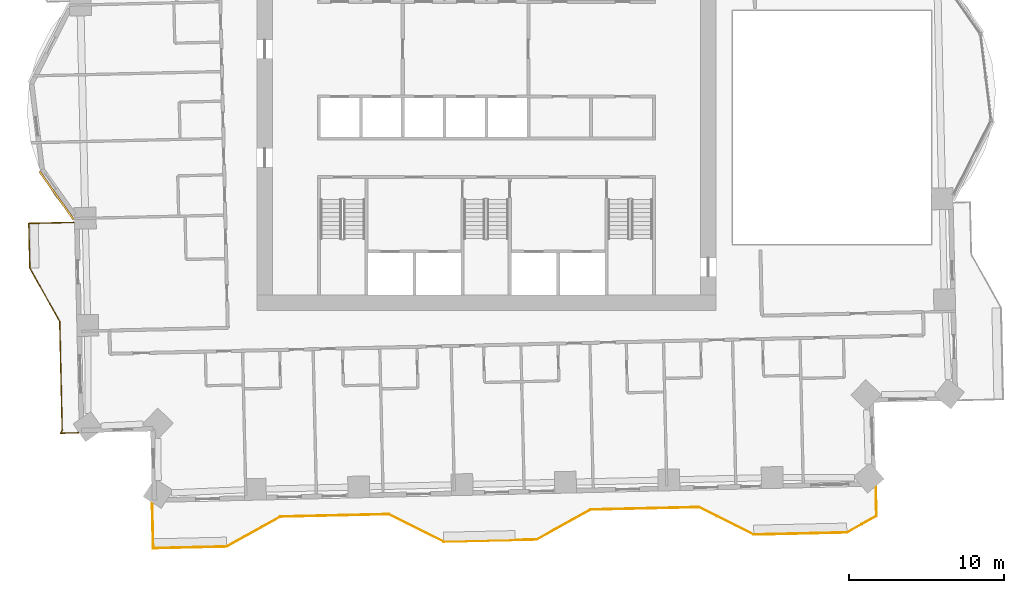
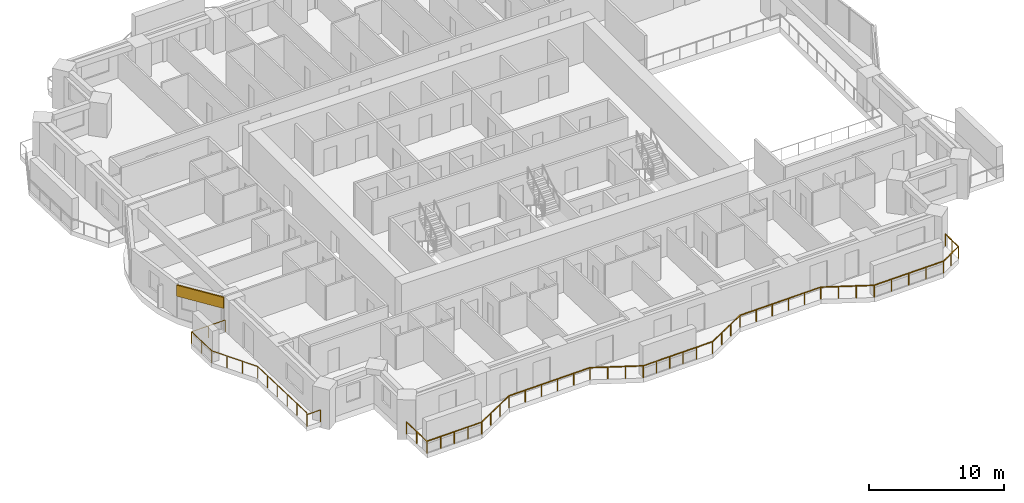
# One storey, part 14 of 17: 2 railings, 1 covering.
"""IFC4 building model written with IfcOpenShell, lengths in metres."""

from ifc_helpers import new_model, si_unit, direction, frame, frame_2d, origin, origin_2d, place, context, subcontext, project, spatial, rectangle, extrude, material, layer, layer_set, type_object, element, save


model = new_model("IFC4")

# Units and contexts
model_context = context("Model", 3, precision=1e-05, world=origin(), true_north=direction((0.0, 1.0)))
body_context = subcontext(model_context, "Body", "Model", "MODEL_VIEW")
ifc_project = project(units=[si_unit("LENGTHUNIT", "METRE"), si_unit("AREAUNIT", "SQUARE_METRE"), si_unit("VOLUMEUNIT", "CUBIC_METRE"), si_unit("PLANEANGLEUNIT", "RADIAN"), si_unit("MASSUNIT", "GRAM", prefix="KILO")], contexts=[model_context])

# Site, building, storey
site_placement = place(None, origin())
site = spatial("IfcSite", under=ifc_project, at=site_placement, CompositionType="ELEMENT")
building_placement = place(site_placement, origin())
building = spatial("IfcBuilding", under=site, at=building_placement, Name="Mangrove Gate Tower", CompositionType="ELEMENT")
storey_placement = place(building_placement, frame((0.0, 0.0, 90.10009765625)))
storey = spatial("IfcBuildingStorey", under=building, at=storey_placement, Name="L22", CompositionType="ELEMENT", Elevation=90.10009765625)

# Railings
ifc_material_1 = material(Name="Stainless steel grade 316 with laminated glass infill", Category="steel")
railing_type = type_object("IfcRailingType", Name="Balcony guard 1100", PredefinedType="GUARDRAIL", material=ifc_material_1)
railing_1_placement = place(storey_placement, frame((-26.60693359375, -6.116943359375, 0.0)))
element("IfcRailing", 1, at=railing_1_placement, inside=storey, type_object=railing_type, Name="GUARD L22 W2", PredefinedType="GUARDRAIL", context=body_context, shape_type="SweptSolid", body=[
    extrude(rectangle(XDim=0.048095703125, YDim=0.048095703125, at=origin_2d()), frame((0.0, 0.0, 1.076171875), z_axis=(-0.999741488917, -0.022736651854, 0.0), x_axis=(0.022736651854, -0.999741488917, 0.0)), (0.0, 0.0, 1.0), 2.909912109375),
    extrude(rectangle(XDim=0.048095703125, YDim=0.048095703125, at=origin_2d()), frame((-2.9091796875, -0.066162109375, 1.076171875), z_axis=(0.022677031611, -0.999742843054, 0.0), x_axis=(0.999742843054, 0.022677031611, 0.0)), (0.0, 0.0, 1.0), 2.87451171875),
    extrude(rectangle(XDim=0.048095703125, YDim=0.048095703125, at=origin_2d()), frame((-2.843994140625, -2.93994140625, 1.076171875), z_axis=(0.48726008209, -0.87325689943, 0.0), x_axis=(0.87325689943, 0.48726008209, 0.0)), (0.0, 0.0, 1.0), 3.958740234375),
    extrude(rectangle(XDim=0.048095703125, YDim=0.048095703125, at=origin_2d()), frame((-0.9150390625, -6.39697265625, 1.076171875), z_axis=(0.022705559911, -0.999742195543, 0.0), x_axis=(0.999742195543, 0.022705559911, 0.0)), (0.0, 0.0, 1.0), 6.999755859375),
    extrude(rectangle(XDim=0.048095703125, YDim=0.048095703125, at=origin_2d()), frame((-0.756103515625, -13.39501953125, 1.076171875), z_axis=(-0.445491062373, -0.895286386217, 0.0), x_axis=(0.895286386217, -0.445491062373, 0.0)), (0.0, 0.0, 1.0), 0.226806640625),
    extrude(rectangle(XDim=0.048095703125, YDim=0.048095703125, at=origin_2d()), frame((-0.857177734375, -13.59814453125, 1.076171875), z_axis=(0.999748711296, 0.022416829864, 0.0), x_axis=(-0.022416829864, 0.999748711296, 0.0)), (0.0, 0.0, 1.0), 1.165283203125),
    extrude(rectangle(XDim=0.0419921875, YDim=0.0419921875, at=origin_2d()), origin(), (0.0, 0.0, 1.0), 1.052001953125),
    extrude(rectangle(XDim=0.0419921875, YDim=0.0419921875, at=origin_2d()), frame((-1.45458984375, -0.033203125, 0.0)), (0.0, 0.0, 1.0), 1.052001953125),
    extrude(rectangle(XDim=0.0419921875, YDim=0.0419921875, at=origin_2d()), frame((-2.9091796875, -0.066162109375, 0.0)), (0.0, 0.0, 1.0), 1.052001953125),
    extrude(rectangle(XDim=0.0419921875, YDim=0.0419921875, at=origin_2d()), frame((-2.87646484375, -1.5029296875, 0.0)), (0.0, 0.0, 1.0), 1.052001953125),
    extrude(rectangle(XDim=0.0419921875, YDim=0.0419921875, at=origin_2d()), frame((-2.843994140625, -2.93994140625, 0.0)), (0.0, 0.0, 1.0), 1.052001953125),
    extrude(rectangle(XDim=0.0419921875, YDim=0.0419921875, at=origin_2d()), frame((-2.200927734375, -4.09228515625, 0.0)), (0.0, 0.0, 1.0), 1.052001953125),
    extrude(rectangle(XDim=0.0419921875, YDim=0.0419921875, at=origin_2d()), frame((-1.55810546875, -5.24462890625, 0.0)), (0.0, 0.0, 1.0), 1.052001953125),
    extrude(rectangle(XDim=0.0419921875, YDim=0.0419921875, at=origin_2d()), frame((-0.9150390625, -6.39697265625, 0.0)), (0.0, 0.0, 1.0), 1.052001953125),
    extrude(rectangle(XDim=0.0419921875, YDim=0.0419921875, at=origin_2d()), frame((-0.88330078125, -7.796630859375, 0.0)), (0.0, 0.0, 1.0), 1.052001953125),
    extrude(rectangle(XDim=0.0419921875, YDim=0.0419921875, at=origin_2d()), frame((-0.8515625, -9.1962890625, 0.0)), (0.0, 0.0, 1.0), 1.052001953125),
    extrude(rectangle(XDim=0.0419921875, YDim=0.0419921875, at=origin_2d()), frame((-0.819580078125, -10.595703125, 0.0)), (0.0, 0.0, 1.0), 1.052001953125),
    extrude(rectangle(XDim=0.0419921875, YDim=0.0419921875, at=origin_2d()), frame((-0.787841796875, -11.995361328125, 0.0)), (0.0, 0.0, 1.0), 1.052001953125),
    extrude(rectangle(XDim=0.0419921875, YDim=0.0419921875, at=origin_2d()), frame((-0.756103515625, -13.39501953125, 0.0)), (0.0, 0.0, 1.0), 1.052001953125),
    extrude(rectangle(XDim=0.0419921875, YDim=0.0419921875, at=origin_2d()), frame((-0.857177734375, -13.59814453125, 0.0)), (0.0, 0.0, 1.0), 1.052001953125),
    extrude(rectangle(XDim=0.0419921875, YDim=0.0419921875, at=origin_2d()), frame((0.307861328125, -13.572021484375, 0.0)), (0.0, 0.0, 1.0), 1.052001953125),
])
railing_2_placement = place(storey_placement, frame((-21.554931640625, -24.221923828125, 0.0)))
element("IfcRailing", 2, at=railing_2_placement, inside=storey, type_object=railing_type, Name="GUARD L22 S1", PredefinedType="GUARDRAIL", context=body_context, shape_type="SweptSolid", body=[
    extrude(rectangle(XDim=0.048095703125, YDim=0.048095703125, at=origin_2d()), frame((0.0, 0.0, 1.076171875), z_axis=(0.022652795902, -0.999743392495, 0.0), x_axis=(0.999743392495, 0.022652795902, 0.0)), (0.0, 0.0, 1.0), 2.909912109375),
    extrude(rectangle(XDim=0.048095703125, YDim=0.048095703125, at=origin_2d()), frame((0.06591796875, -2.9091796875, 1.076171875), z_axis=(0.999743933574, 0.022628903678, 0.0), x_axis=(-0.022628903678, 0.999743933574, 0.0)), (0.0, 0.0, 1.0), 4.736328125),
    extrude(rectangle(XDim=0.048095703125, YDim=0.048095703125, at=origin_2d()), frame((4.801025390625, -2.802001953125, 1.076171875), z_axis=(0.873242256246, 0.487286324359, 0.0), x_axis=(-0.487286324359, 0.873242256246, 0.0)), (0.0, 0.0, 1.0), 3.95849609375),
    extrude(rectangle(XDim=0.048095703125, YDim=0.048095703125, at=origin_2d()), frame((8.2578125, -0.873046875, 1.076171875), z_axis=(0.999742195543, 0.022705559911, 0.0), x_axis=(-0.022705559911, 0.999742195543, 0.0)), (0.0, 0.0, 1.0), 6.999755859375),
    extrude(rectangle(XDim=0.048095703125, YDim=0.048095703125, at=origin_2d()), frame((15.255859375, -0.714111328125, 1.076171875), z_axis=(0.894476522376, -0.447114919141, 0.0), x_axis=(0.447114919141, 0.894476522376, 0.0)), (0.0, 0.0, 1.0), 3.958740234375),
    extrude(rectangle(XDim=0.048095703125, YDim=0.048095703125, at=origin_2d()), frame((18.796875, -2.484130859375, 1.076171875), z_axis=(0.999744404568, 0.02260808559, 0.0), x_axis=(-0.02260808559, 0.999744404568, 0.0)), (0.0, 0.0, 1.0), 4.600341796875),
    extrude(rectangle(XDim=0.048095703125, YDim=0.048095703125, at=origin_2d()), frame((23.39599609375, -2.380126953125, 1.076171875), z_axis=(0.999739128131, 0.022840220751, 0.0), x_axis=(-0.022840220751, 0.999739128131, 0.0)), (0.0, 0.0, 1.0), 1.400146484375),
    extrude(rectangle(XDim=0.048095703125, YDim=0.048095703125, at=origin_2d()), frame((24.7958984375, -2.34814453125, 1.076171875), z_axis=(0.87325689943, 0.48726008209, 0.0), x_axis=(-0.48726008209, 0.87325689943, 0.0)), (0.0, 0.0, 1.0), 3.958740234375),
    extrude(rectangle(XDim=0.048095703125, YDim=0.048095703125, at=origin_2d()), frame((28.2529296875, -0.419189453125, 1.076171875), z_axis=(0.999741403216, 0.022740419861, 0.0), x_axis=(-0.022740419861, 0.999741403216, 0.0)), (0.0, 0.0, 1.0), 6.999755859375),
    extrude(rectangle(XDim=0.048095703125, YDim=0.048095703125, at=origin_2d()), frame((35.2509765625, -0.260009765625, 1.076171875), z_axis=(0.894476522376, -0.447114919141, 0.0), x_axis=(0.447114919141, 0.894476522376, 0.0)), (0.0, 0.0, 1.0), 3.958740234375),
    extrude(rectangle(XDim=0.048095703125, YDim=0.048095703125, at=origin_2d()), frame((38.7919921875, -2.030029296875, 1.076171875), z_axis=(0.999743094499, 0.022665943652, 0.0), x_axis=(-0.022665943652, 0.999743094499, 0.0)), (0.0, 0.0, 1.0), 5.99951171875),
    extrude(rectangle(XDim=0.048095703125, YDim=0.048095703125, at=origin_2d()), frame((44.7900390625, -1.89404296875, 1.076171875), z_axis=(0.873341076951, 0.487109190335, 0.0), x_axis=(-0.487109190335, 0.873341076951, 0.0)), (0.0, 0.0, 1.0), 2.190185546875),
    extrude(rectangle(XDim=0.048095703125, YDim=0.048095703125, at=origin_2d()), frame((46.702880859375, -0.8271484375, 1.076171875), z_axis=(-0.022777260759, 0.999740564543, 0.0), x_axis=(-0.999740564543, -0.022777260759, 0.0)), (0.0, 0.0, 1.0), 1.886474609375),
    extrude(rectangle(XDim=0.0419921875, YDim=0.0419921875, at=origin_2d()), origin(), (0.0, 0.0, 1.0), 1.052001953125),
    extrude(rectangle(XDim=0.0419921875, YDim=0.0419921875, at=origin_2d()), frame((0.032958984375, -1.45458984375, 0.0)), (0.0, 0.0, 1.0), 1.052001953125),
    extrude(rectangle(XDim=0.0419921875, YDim=0.0419921875, at=origin_2d()), frame((0.06591796875, -2.9091796875, 0.0)), (0.0, 0.0, 1.0), 1.052001953125),
    extrude(rectangle(XDim=0.0419921875, YDim=0.0419921875, at=origin_2d()), frame((1.249755859375, -2.88232421875, 0.0)), (0.0, 0.0, 1.0), 1.052001953125),
    extrude(rectangle(XDim=0.0419921875, YDim=0.0419921875, at=origin_2d()), frame((2.43359375, -2.85546875, 0.0)), (0.0, 0.0, 1.0), 1.052001953125),
    extrude(rectangle(XDim=0.0419921875, YDim=0.0419921875, at=origin_2d()), frame((3.6171875, -2.828857421875, 0.0)), (0.0, 0.0, 1.0), 1.052001953125),
    extrude(rectangle(XDim=0.0419921875, YDim=0.0419921875, at=origin_2d()), frame((4.801025390625, -2.802001953125, 0.0)), (0.0, 0.0, 1.0), 1.052001953125),
    extrude(rectangle(XDim=0.0419921875, YDim=0.0419921875, at=origin_2d()), frame((5.953369140625, -2.158935546875, 0.0)), (0.0, 0.0, 1.0), 1.052001953125),
    extrude(rectangle(XDim=0.0419921875, YDim=0.0419921875, at=origin_2d()), frame((7.10546875, -1.51611328125, 0.0)), (0.0, 0.0, 1.0), 1.052001953125),
    extrude(rectangle(XDim=0.0419921875, YDim=0.0419921875, at=origin_2d()), frame((8.2578125, -0.873046875, 0.0)), (0.0, 0.0, 1.0), 1.052001953125),
    extrude(rectangle(XDim=0.0419921875, YDim=0.0419921875, at=origin_2d()), frame((9.657470703125, -0.84130859375, 0.0)), (0.0, 0.0, 1.0), 1.052001953125),
    extrude(rectangle(XDim=0.0419921875, YDim=0.0419921875, at=origin_2d()), frame((11.05712890625, -0.8095703125, 0.0)), (0.0, 0.0, 1.0), 1.052001953125),
    extrude(rectangle(XDim=0.0419921875, YDim=0.0419921875, at=origin_2d()), frame((12.45654296875, -0.777587890625, 0.0)), (0.0, 0.0, 1.0), 1.052001953125),
    extrude(rectangle(XDim=0.0419921875, YDim=0.0419921875, at=origin_2d()), frame((13.856201171875, -0.745849609375, 0.0)), (0.0, 0.0, 1.0), 1.052001953125),
    extrude(rectangle(XDim=0.0419921875, YDim=0.0419921875, at=origin_2d()), frame((15.255859375, -0.714111328125, 0.0)), (0.0, 0.0, 1.0), 1.052001953125),
    extrude(rectangle(XDim=0.0419921875, YDim=0.0419921875, at=origin_2d()), frame((16.436279296875, -1.30419921875, 0.0)), (0.0, 0.0, 1.0), 1.052001953125),
    extrude(rectangle(XDim=0.0419921875, YDim=0.0419921875, at=origin_2d()), frame((17.616455078125, -1.89404296875, 0.0)), (0.0, 0.0, 1.0), 1.052001953125),
    extrude(rectangle(XDim=0.0419921875, YDim=0.0419921875, at=origin_2d()), frame((18.796875, -2.484130859375, 0.0)), (0.0, 0.0, 1.0), 1.052001953125),
    extrude(rectangle(XDim=0.0419921875, YDim=0.0419921875, at=origin_2d()), frame((19.94677734375, -2.4580078125, 0.0)), (0.0, 0.0, 1.0), 1.052001953125),
    extrude(rectangle(XDim=0.0419921875, YDim=0.0419921875, at=origin_2d()), frame((21.096435546875, -2.43212890625, 0.0)), (0.0, 0.0, 1.0), 1.052001953125),
    extrude(rectangle(XDim=0.0419921875, YDim=0.0419921875, at=origin_2d()), frame((22.24609375, -2.40625, 0.0)), (0.0, 0.0, 1.0), 1.052001953125),
    extrude(rectangle(XDim=0.0419921875, YDim=0.0419921875, at=origin_2d()), frame((23.39599609375, -2.380126953125, 0.0)), (0.0, 0.0, 1.0), 1.052001953125),
    extrude(rectangle(XDim=0.0419921875, YDim=0.0419921875, at=origin_2d()), frame((24.7958984375, -2.34814453125, 0.0)), (0.0, 0.0, 1.0), 1.052001953125),
    extrude(rectangle(XDim=0.0419921875, YDim=0.0419921875, at=origin_2d()), frame((25.9482421875, -1.705078125, 0.0)), (0.0, 0.0, 1.0), 1.052001953125),
    extrude(rectangle(XDim=0.0419921875, YDim=0.0419921875, at=origin_2d()), frame((27.1005859375, -1.062255859375, 0.0)), (0.0, 0.0, 1.0), 1.052001953125),
    extrude(rectangle(XDim=0.0419921875, YDim=0.0419921875, at=origin_2d()), frame((28.2529296875, -0.419189453125, 0.0)), (0.0, 0.0, 1.0), 1.052001953125),
    extrude(rectangle(XDim=0.0419921875, YDim=0.0419921875, at=origin_2d()), frame((29.652587890625, -0.387451171875, 0.0)), (0.0, 0.0, 1.0), 1.052001953125),
    extrude(rectangle(XDim=0.0419921875, YDim=0.0419921875, at=origin_2d()), frame((31.05224609375, -0.35546875, 0.0)), (0.0, 0.0, 1.0), 1.052001953125),
    extrude(rectangle(XDim=0.0419921875, YDim=0.0419921875, at=origin_2d()), frame((32.45166015625, -0.32373046875, 0.0)), (0.0, 0.0, 1.0), 1.052001953125),
    extrude(rectangle(XDim=0.0419921875, YDim=0.0419921875, at=origin_2d()), frame((33.851318359375, -0.291748046875, 0.0)), (0.0, 0.0, 1.0), 1.052001953125),
    extrude(rectangle(XDim=0.0419921875, YDim=0.0419921875, at=origin_2d()), frame((35.2509765625, -0.260009765625, 0.0)), (0.0, 0.0, 1.0), 1.052001953125),
    extrude(rectangle(XDim=0.0419921875, YDim=0.0419921875, at=origin_2d()), frame((36.431396484375, -0.85009765625, 0.0)), (0.0, 0.0, 1.0), 1.052001953125),
    extrude(rectangle(XDim=0.0419921875, YDim=0.0419921875, at=origin_2d()), frame((37.611572265625, -1.43994140625, 0.0)), (0.0, 0.0, 1.0), 1.052001953125),
    extrude(rectangle(XDim=0.0419921875, YDim=0.0419921875, at=origin_2d()), frame((38.7919921875, -2.030029296875, 0.0)), (0.0, 0.0, 1.0), 1.052001953125),
    extrude(rectangle(XDim=0.0419921875, YDim=0.0419921875, at=origin_2d()), frame((40.29150390625, -1.99609375, 0.0)), (0.0, 0.0, 1.0), 1.052001953125),
    extrude(rectangle(XDim=0.0419921875, YDim=0.0419921875, at=origin_2d()), frame((41.791015625, -1.9619140625, 0.0)), (0.0, 0.0, 1.0), 1.052001953125),
    extrude(rectangle(XDim=0.0419921875, YDim=0.0419921875, at=origin_2d()), frame((43.29052734375, -1.927978515625, 0.0)), (0.0, 0.0, 1.0), 1.052001953125),
    extrude(rectangle(XDim=0.0419921875, YDim=0.0419921875, at=origin_2d()), frame((44.7900390625, -1.89404296875, 0.0)), (0.0, 0.0, 1.0), 1.052001953125),
    extrude(rectangle(XDim=0.0419921875, YDim=0.0419921875, at=origin_2d()), frame((45.74658203125, -1.360595703125, 0.0)), (0.0, 0.0, 1.0), 1.052001953125),
    extrude(rectangle(XDim=0.0419921875, YDim=0.0419921875, at=origin_2d()), frame((46.702880859375, -0.8271484375, 0.0)), (0.0, 0.0, 1.0), 1.052001953125),
    extrude(rectangle(XDim=0.0419921875, YDim=0.0419921875, at=origin_2d()), frame((46.681396484375, 0.11572265625, 0.0)), (0.0, 0.0, 1.0), 1.052001953125),
    extrude(rectangle(XDim=0.0419921875, YDim=0.0419921875, at=origin_2d()), frame((46.659912109375, 1.058837890625, 0.0)), (0.0, 0.0, 1.0), 1.052001953125),
])

# Covering
ifc_material_2 = material(Name="Limestone", Category="masonry")
ifc_layer_1 = layer(ifc_material_2, 0.0400390625, Name="Limestone cladding")
ifc_material_3 = material(Name="Stainless steel anchors and cavity", Category="steel")
ifc_layer_2 = layer(ifc_material_3, 0.080078125, Name="Fixing cavity")
ifc_layer_set = layer_set([ifc_layer_1, ifc_layer_2], Name="Joint fascia cladding 120")
covering_type = type_object("IfcCoveringType", Name="Joint fascia cladding 120", PredefinedType="CLADDING", material=ifc_layer_set)
covering_placement = place(storey_placement, frame((-28.822998046875, -2.8310546875, 2.0498046875), z_axis=(0.0, 0.0, 1.0), x_axis=(0.578168098379, -0.815917673553, 0.0)))
element("IfcCovering", 3, at=covering_placement, inside=storey, type_object=covering_type, Name="STONE FASCIA L22 W9.L2", PredefinedType="CLADDING", context=body_context, shape_type="SweptSolid", body=[
    extrude(rectangle(XDim=3.819091796875, YDim=0.1201171875, at=frame_2d((1.90966796875, 0.0))), origin(), (0.0, 0.0, 1.0), 1.0),
])

save(model, "model.ifc")
